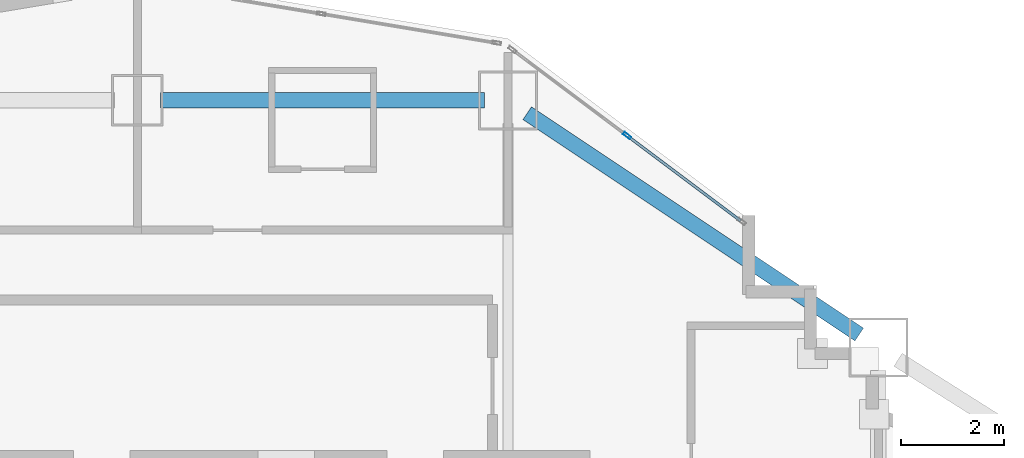
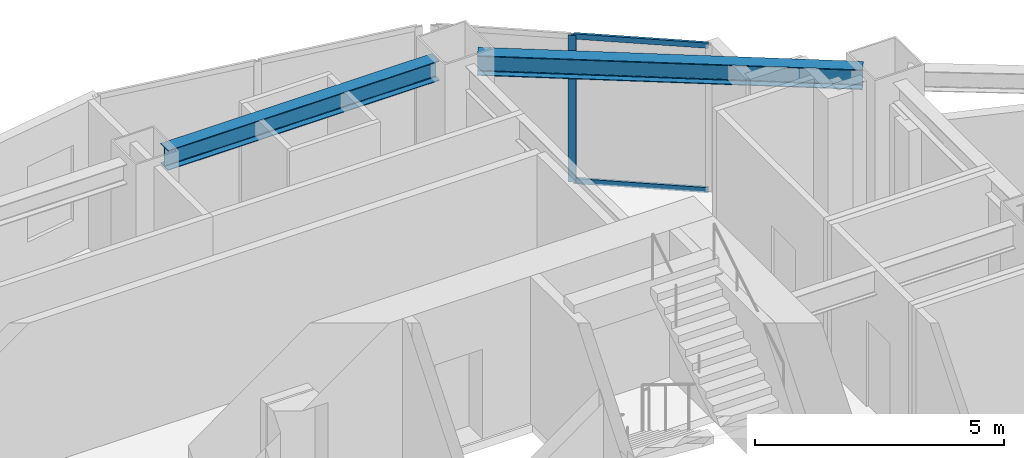
# One storey, part 3 of 16: 3 members, 2 beams, 1 element without a shape of its own.
"""IFC4 building model written with IfcOpenShell, lengths in metres."""

from ifc_helpers import new_model, si_unit, direction, frame, origin, origin_2d, place, context, subcontext, project, spatial, hollow_rectangle, i_section, extrude, material, layer, layer_set, material_profile, profile_set, type_object, element, aggregate, save


model = new_model("IFC4")

# Units and contexts
model_context = context("Model", 3, precision=1e-05, world=origin(), true_north=direction((0.0, 1.0)))
body_context = subcontext(model_context, "Body", "Model", "MODEL_VIEW")
ifc_project = project(units=[si_unit("LENGTHUNIT", "METRE"), si_unit("AREAUNIT", "SQUARE_METRE"), si_unit("VOLUMEUNIT", "CUBIC_METRE"), si_unit("PLANEANGLEUNIT", "RADIAN"), si_unit("MASSUNIT", "GRAM", prefix="KILO")], contexts=[model_context])

# Site, building, storey
site_placement = place(None, origin())
site = spatial("IfcSite", under=ifc_project, at=site_placement, CompositionType="ELEMENT")
building_placement = place(site_placement, origin())
building = spatial("IfcBuilding", under=site, at=building_placement, Name="Haolan Belvedere Tower", CompositionType="ELEMENT")
storey_placement = place(building_placement, frame((0.0, 0.0, 74.199951171875)))
storey = spatial("IfcBuildingStorey", under=building, at=storey_placement, Name="L18", CompositionType="ELEMENT", Elevation=74.199951171875)

# Beams
ifc_material_1 = material(Name="Steel Q355B", Category="steel")
ifc_material_profile_1 = material_profile(ifc_material_1, i_section(OverallWidth=0.300048828125, OverallDepth=0.488037109375, WebThickness=0.010986328125, FlangeThickness=0.01806640625, FilletRadius=0.02587890625, at=origin_2d()), Name="Steel Q355B")
ifc_profile_set_1 = profile_set([ifc_material_profile_1], Name="Steel Q355B")
beam_type = type_object("IfcBeamType", Name="BM-HM488x300x11x18", PredefinedType="SPANDREL", material=ifc_profile_set_1)
beam_1_placement = place(storey_placement, frame((38.85009765625, 50.39990234375, 3.35595703125), z_axis=(1.0, 0.0, 0.0), x_axis=(0.0, 1.0, 0.0)))
element("IfcBeam", 1, at=beam_1_placement, inside=storey, type_object=beam_type, Name="L18 spandrel girder TC-T3-NM-MC-T3-N2", PredefinedType="SPANDREL", context=body_context, shape_type="SweptSolid", body=[
    extrude(i_section(OverallWidth=0.300048828125, OverallDepth=0.488037109375, WebThickness=0.010986328125, FlangeThickness=0.01806640625, FilletRadius=0.02587890625, at=origin_2d()), origin(), (0.0, 0.0, 1.0), 6.2998046875),
])
beam_2_placement = place(storey_placement, frame((45.974365234375, 50.150390625, 3.35595703125), z_axis=(0.832050294338, -0.554700196225, 0.0), x_axis=(0.554700196225, 0.832050294338, 0.0)))
element("IfcBeam", 2, at=beam_2_placement, inside=storey, type_object=beam_type, Name="L18 spandrel girder MC-T3-N2-MC-T3-NE", PredefinedType="SPANDREL", context=body_context, shape_type="SweptSolid", body=[
    extrude(i_section(OverallWidth=0.300048828125, OverallDepth=0.488037109375, WebThickness=0.010986328125, FlangeThickness=0.01806640625, FilletRadius=0.02587890625, at=origin_2d()), origin(), (0.0, 0.0, 1.0), 7.75341796875),
])

# Curtain wall, members
ifc_material_2 = material(Name="Anodised champagne-silver aluminium 6063-T6 and Low-E glass", Category="aluminium")
ifc_layer = layer(ifc_material_2, 0.1650390625, Name="Anodised champagne-silver aluminium 6063-T6 and Low-E glass")
ifc_layer_set = layer_set([ifc_layer], Name="Anodised champagne-silver aluminium 6063-T6 and Low-E glass")
curtain_wall_type = type_object("IfcCurtainWallType", Name="CW-SYS-02", PredefinedType="NOTDEFINED", material=ifc_layer_set)
curtain_wall_placement = place(storey_placement, origin())
curtain_wall = element("IfcCurtainWall", 3, at=curtain_wall_placement, inside=storey, type_object=curtain_wall_type, Name="L18 CW-SYS-02 ribbon curtain wall 41.1", PredefinedType="NOTDEFINED")
ifc_material_3 = material(Name="Anodised aluminium 6063-T6", Category="aluminium")
ifc_material_profile_2 = material_profile(ifc_material_3, hollow_rectangle(XDim=0.06005859375, YDim=0.1650390625, WallThickness=0.00390625, at=origin_2d()), Name="Anodised aluminium 6063-T6")
ifc_profile_set_2 = profile_set([ifc_material_profile_2], Name="Anodised aluminium 6063-T6")
member_type_1 = type_object("IfcMemberType", Name="CW-SYS-02-MUL", PredefinedType="MULLION", material=ifc_profile_set_2)
member_1_placement = place(storey_placement, frame((47.915771484375, 49.713134765625, 0.0), z_axis=(0.0, 0.0, 1.0), x_axis=(-0.599994316874, -0.800004262313, 0.0)))
member_1 = element("IfcMember", 4, at=member_1_placement, type_object=member_type_1, Name="CW-02 mullion 2", PredefinedType="MULLION", context=body_context, shape_type="SweptSolid", body=[
    extrude(hollow_rectangle(XDim=0.06005859375, YDim=0.1650390625, WallThickness=0.00390625, at=origin_2d()), origin(), (0.0, 0.0, 1.0), 3.60009765625),
])
ifc_material_profile_3 = material_profile(ifc_material_3, hollow_rectangle(XDim=0.054931640625, YDim=0.1298828125, WallThickness=0.00390625, at=origin_2d()), Name="Anodised aluminium 6063-T6")
ifc_profile_set_3 = profile_set([ifc_material_profile_3], Name="Anodised aluminium 6063-T6")
member_type_2 = type_object("IfcMemberType", Name="CW-SYS-02-TRN", PredefinedType="USERDEFINED", material=ifc_profile_set_3)
member_2_placement = place(storey_placement, frame((50.1201171875, 48.06005859375, 0.027587890625), z_axis=(-0.800010749092, 0.599985667609, 0.0), x_axis=(-0.599985667609, -0.800010749092, 0.0)))
member_2 = element("IfcMember", 5, at=member_2_placement, type_object=member_type_2, Name="CW-02 transom 1.1", ObjectType="TRANSOM", PredefinedType="USERDEFINED", context=body_context, shape_type="SweptSolid", body=[
    extrude(hollow_rectangle(XDim=0.054931640625, YDim=0.1298828125, WallThickness=0.00390625, at=origin_2d()), origin(), (0.0, 0.0, 1.0), 2.7255859375),
])
member_3_placement = place(storey_placement, frame((50.1201171875, 48.06005859375, 3.572509765625), z_axis=(-0.800010749092, 0.599985667609, 0.0), x_axis=(-0.599985667609, -0.800010749092, 0.0)))
member_3 = element("IfcMember", 6, at=member_3_placement, type_object=member_type_2, Name="CW-02 transom 1.2", ObjectType="TRANSOM", PredefinedType="USERDEFINED", context=body_context, shape_type="SweptSolid", body=[
    extrude(hollow_rectangle(XDim=0.054931640625, YDim=0.1298828125, WallThickness=0.00390625, at=origin_2d()), origin(), (0.0, 0.0, 1.0), 2.7255859375),
])
aggregate(curtain_wall, [member_1, member_2, member_3])

save(model, "model.ifc")
